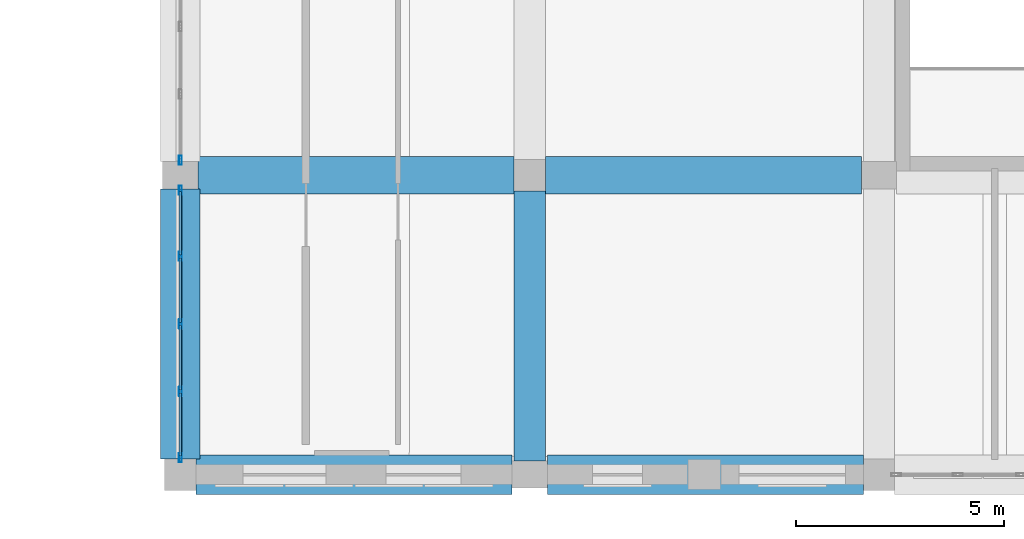
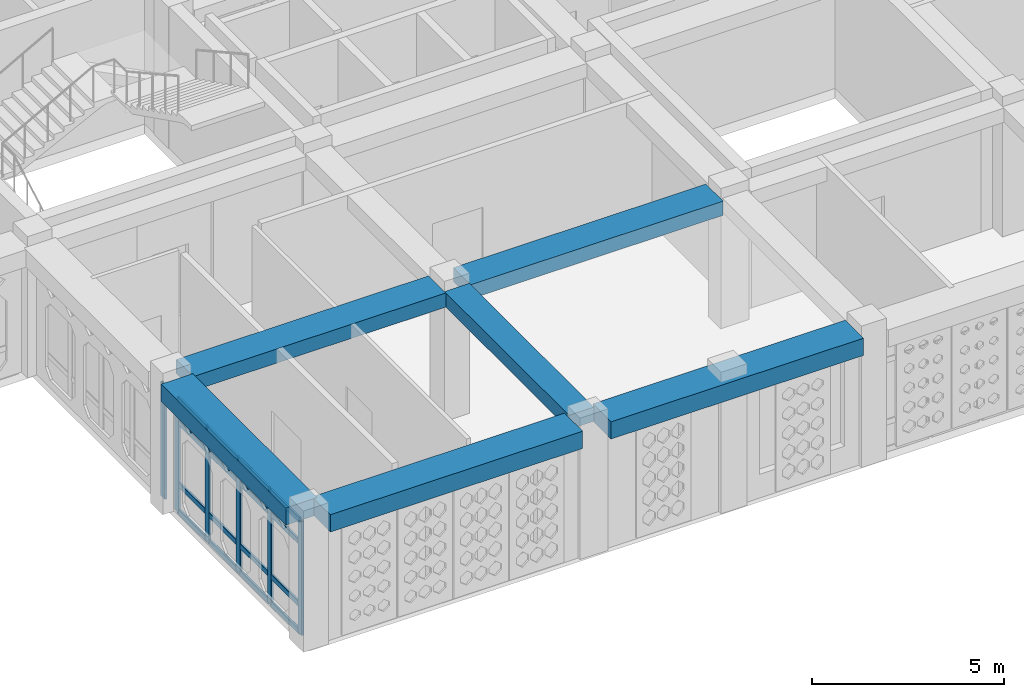
# One storey, part 4 of 111: 22 members, 6 beams, 2 elements without a shape of their own.
"""IFC4 building model written with IfcOpenShell, lengths in metres."""

from ifc_helpers import new_model, si_unit, derived_unit, direction, frame, origin, origin_2d, place, context, subcontext, project, spatial, rectangle, hollow_rectangle, extrude, material, material_profile, profile_set, type_object, element, aggregate, save


model = new_model("IFC4")

# Units and contexts
model_context = context("Model", 3, precision=1e-05, world=origin(), true_north=direction((0.0, 1.0)))
body_context = subcontext(model_context, "Body", "Model", "MODEL_VIEW")
ifc_project = project(units=[si_unit("LENGTHUNIT", "METRE"), si_unit("AREAUNIT", "SQUARE_METRE"), si_unit("VOLUMEUNIT", "CUBIC_METRE"), si_unit("PLANEANGLEUNIT", "RADIAN"), si_unit("MASSUNIT", "GRAM", prefix="KILO"), derived_unit("THERMALTRANSMITTANCEUNIT", [(si_unit("POWERUNIT", "WATT"), 1), (si_unit("LENGTHUNIT", "METRE"), -2), (si_unit("THERMODYNAMICTEMPERATUREUNIT", "KELVIN"), -1)])], contexts=[model_context])

# Site, building, storey
site_placement = place(None, origin())
site = spatial("IfcSite", under=ifc_project, at=site_placement, CompositionType="ELEMENT")
building_placement = place(site_placement, origin())
building = spatial("IfcBuilding", under=site, at=building_placement, Name="Veybourne Emporium", CompositionType="ELEMENT")
storey_placement = place(building_placement, frame((0.0, 0.0, 9.89990234375)))
storey = spatial("IfcBuildingStorey", under=building, at=storey_placement, Name="L02", CompositionType="ELEMENT", Elevation=9.89990234375)

# Curtain wall, member
ifc_material_1 = material(Name="Patinated Architectural Bronze", Category="bronze")
curtain_wall_type_1 = type_object("IfcCurtainWallType", Name="CWSystem_CWS-09", PredefinedType="NOTDEFINED", material=ifc_material_1)
curtain_wall_1_placement = place(storey_placement, origin())
curtain_wall_1 = element("IfcCurtainWall", 1, at=curtain_wall_1_placement, inside=storey, type_object=curtain_wall_type_1, Name="L02 bronze glazed curtain wall CWS-09 (016)", PredefinedType="NOTDEFINED")
ifc_material_profile_1 = material_profile(ifc_material_1, hollow_rectangle(XDim=0.072021484375, YDim=0.22509765625, WallThickness=0.0048828125, InnerFilletRadius=0.007568359375, OuterFilletRadius=0.012451171875, at=origin_2d()), Name="CWM 72x225x5")
ifc_profile_set_1 = profile_set([ifc_material_profile_1], Name="Patinated Architectural Bronze")
member_type_1 = type_object("IfcMemberType", Name="CWMullion_CW-M1", PredefinedType="MULLION", material=ifc_profile_set_1)
member_1_placement = place(storey_placement, frame((16.800048828125, 7.56103515625, 0.0), z_axis=(0.0, 0.0, 1.0), x_axis=(-1.0, 0.0, 0.0)))
member_1 = element("IfcMember", 2, at=member_1_placement, type_object=member_type_1, Name="CWS-09 mullion 1", PredefinedType="MULLION", context=body_context, shape_type="SweptSolid", body=[
    extrude(hollow_rectangle(XDim=0.072021484375, YDim=0.22509765625, WallThickness=0.0048828125, InnerFilletRadius=0.007568359375, OuterFilletRadius=0.012451171875, at=origin_2d()), origin(), (0.0, 0.0, 1.0), 3.630126953125),
])
aggregate(curtain_wall_1, [member_1])

# Curtain wall, members
curtain_wall_type_2 = type_object("IfcCurtainWallType", Name="CWSystem_CWS-08", PredefinedType="NOTDEFINED", material=ifc_material_1)
curtain_wall_2_placement = place(storey_placement, origin())
curtain_wall_2 = element("IfcCurtainWall", 3, at=curtain_wall_2_placement, inside=storey, type_object=curtain_wall_type_2, Name="L02 bronze glazed curtain wall CWS-08 (015)", PredefinedType="NOTDEFINED")
ifc_material_profile_2 = material_profile(ifc_material_1, hollow_rectangle(XDim=0.070068359375, YDim=0.219970703125, WallThickness=0.0048828125, InnerFilletRadius=0.007568359375, OuterFilletRadius=0.012451171875, at=origin_2d()), Name="CWM 70x220x5")
ifc_profile_set_2 = profile_set([ifc_material_profile_2], Name="Patinated Architectural Bronze")
member_type_2 = type_object("IfcMemberType", Name="CWMullion_CW-M4", PredefinedType="MULLION", material=ifc_profile_set_2)
member_2_placement = place(storey_placement, frame((16.800048828125, 0.409912109375, 0.0), z_axis=(0.0, 0.0, 1.0), x_axis=(-1.0, 0.0, 0.0)))
member_2 = element("IfcMember", 4, at=member_2_placement, type_object=member_type_2, Name="CWS-08 mullion 1", PredefinedType="MULLION", context=body_context, shape_type="SweptSolid", body=[
    extrude(hollow_rectangle(XDim=0.070068359375, YDim=0.219970703125, WallThickness=0.0048828125, InnerFilletRadius=0.007568359375, OuterFilletRadius=0.012451171875, at=origin_2d()), origin(), (0.0, 0.0, 1.0), 3.630126953125),
])
member_3_placement = place(storey_placement, frame((16.800048828125, 2.0, 0.0), z_axis=(0.0, 0.0, 1.0), x_axis=(-1.0, 0.0, 0.0)))
member_3 = element("IfcMember", 5, at=member_3_placement, type_object=member_type_2, Name="CWS-08 mullion 2", PredefinedType="MULLION", context=body_context, shape_type="SweptSolid", body=[
    extrude(hollow_rectangle(XDim=0.070068359375, YDim=0.219970703125, WallThickness=0.0048828125, InnerFilletRadius=0.007568359375, OuterFilletRadius=0.012451171875, at=origin_2d()), origin(), (0.0, 0.0, 1.0), 3.630126953125),
])
member_4_placement = place(storey_placement, frame((16.800048828125, 3.625, 0.0), z_axis=(0.0, 0.0, 1.0), x_axis=(-1.0, 0.0, 0.0)))
member_4 = element("IfcMember", 6, at=member_4_placement, type_object=member_type_2, Name="CWS-08 mullion 3", PredefinedType="MULLION", context=body_context, shape_type="SweptSolid", body=[
    extrude(hollow_rectangle(XDim=0.070068359375, YDim=0.219970703125, WallThickness=0.0048828125, InnerFilletRadius=0.007568359375, OuterFilletRadius=0.012451171875, at=origin_2d()), origin(), (0.0, 0.0, 1.0), 3.630126953125),
])
member_5_placement = place(storey_placement, frame((16.800048828125, 5.25, 0.0), z_axis=(0.0, 0.0, 1.0), x_axis=(-1.0, 0.0, 0.0)))
member_5 = element("IfcMember", 7, at=member_5_placement, type_object=member_type_2, Name="CWS-08 mullion 4", PredefinedType="MULLION", context=body_context, shape_type="SweptSolid", body=[
    extrude(hollow_rectangle(XDim=0.070068359375, YDim=0.219970703125, WallThickness=0.0048828125, InnerFilletRadius=0.007568359375, OuterFilletRadius=0.012451171875, at=origin_2d()), origin(), (0.0, 0.0, 1.0), 3.630126953125),
])
member_6_placement = place(storey_placement, frame((16.800048828125, 6.840087890625, 0.0), z_axis=(0.0, 0.0, 1.0), x_axis=(-1.0, 0.0, 0.0)))
member_6 = element("IfcMember", 8, at=member_6_placement, type_object=member_type_2, Name="CWS-08 mullion 5", PredefinedType="MULLION", context=body_context, shape_type="SweptSolid", body=[
    extrude(hollow_rectangle(XDim=0.070068359375, YDim=0.219970703125, WallThickness=0.0048828125, InnerFilletRadius=0.007568359375, OuterFilletRadius=0.012451171875, at=origin_2d()), origin(), (0.0, 0.0, 1.0), 3.630126953125),
])
ifc_material_profile_3 = material_profile(ifc_material_1, hollow_rectangle(XDim=0.070068359375, YDim=0.169921875, WallThickness=0.0048828125, InnerFilletRadius=0.007568359375, OuterFilletRadius=0.012451171875, at=origin_2d()), Name="CWT 70x170x5")
ifc_profile_set_3 = profile_set([ifc_material_profile_3], Name="Patinated Architectural Bronze")
member_type_3 = type_object("IfcMemberType", Name="CWTransom_CW-T4", PredefinedType="NOTDEFINED", material=ifc_profile_set_3)
member_7_placement = place(storey_placement, frame((16.800048828125, 0.445068359375, 0.03515625), z_axis=(0.0, 1.0, 0.0), x_axis=(-1.0, 0.0, 0.0)))
member_7 = element("IfcMember", 9, at=member_7_placement, type_object=member_type_3, Name="CWS-08 transom 1.1", ObjectType="TRANSOM", PredefinedType="USERDEFINED", context=body_context, shape_type="SweptSolid", body=[
    extrude(hollow_rectangle(XDim=0.070068359375, YDim=0.169921875, WallThickness=0.0048828125, InnerFilletRadius=0.007568359375, OuterFilletRadius=0.012451171875, at=origin_2d()), origin(), (0.0, 0.0, 1.0), 1.52001953125),
])
member_8_placement = place(storey_placement, frame((16.800048828125, 0.445068359375, 0.900146484375), z_axis=(0.0, 1.0, 0.0), x_axis=(-1.0, 0.0, 0.0)))
member_8 = element("IfcMember", 10, at=member_8_placement, type_object=member_type_3, Name="CWS-08 transom 1.2", ObjectType="TRANSOM", PredefinedType="USERDEFINED", context=body_context, shape_type="SweptSolid", body=[
    extrude(hollow_rectangle(XDim=0.070068359375, YDim=0.169921875, WallThickness=0.0048828125, InnerFilletRadius=0.007568359375, OuterFilletRadius=0.012451171875, at=origin_2d()), origin(), (0.0, 0.0, 1.0), 1.52001953125),
])
member_9_placement = place(storey_placement, frame((16.800048828125, 0.445068359375, 2.880126953125), z_axis=(0.0, 1.0, 0.0), x_axis=(-1.0, 0.0, 0.0)))
member_9 = element("IfcMember", 11, at=member_9_placement, type_object=member_type_3, Name="CWS-08 transom 1.3", ObjectType="TRANSOM", PredefinedType="USERDEFINED", context=body_context, shape_type="SweptSolid", body=[
    extrude(hollow_rectangle(XDim=0.070068359375, YDim=0.169921875, WallThickness=0.0048828125, InnerFilletRadius=0.007568359375, OuterFilletRadius=0.012451171875, at=origin_2d()), origin(), (0.0, 0.0, 1.0), 1.52001953125),
])
member_10_placement = place(storey_placement, frame((16.800048828125, 0.445068359375, 3.59521484375), z_axis=(0.0, 1.0, 0.0), x_axis=(-1.0, 0.0, 0.0)))
member_10 = element("IfcMember", 12, at=member_10_placement, type_object=member_type_3, Name="CWS-08 transom 1.4", ObjectType="TRANSOM", PredefinedType="USERDEFINED", context=body_context, shape_type="SweptSolid", body=[
    extrude(hollow_rectangle(XDim=0.070068359375, YDim=0.169921875, WallThickness=0.0048828125, InnerFilletRadius=0.007568359375, OuterFilletRadius=0.012451171875, at=origin_2d()), origin(), (0.0, 0.0, 1.0), 1.52001953125),
])
member_11_placement = place(storey_placement, frame((16.800048828125, 2.034912109375, 0.03515625), z_axis=(0.0, 1.0, 0.0), x_axis=(-1.0, 0.0, 0.0)))
member_11 = element("IfcMember", 13, at=member_11_placement, type_object=member_type_3, Name="CWS-08 transom 2.1", ObjectType="TRANSOM", PredefinedType="USERDEFINED", context=body_context, shape_type="SweptSolid", body=[
    extrude(hollow_rectangle(XDim=0.070068359375, YDim=0.169921875, WallThickness=0.0048828125, InnerFilletRadius=0.007568359375, OuterFilletRadius=0.012451171875, at=origin_2d()), origin(), (0.0, 0.0, 1.0), 1.55517578125),
])
member_12_placement = place(storey_placement, frame((16.800048828125, 2.034912109375, 0.900146484375), z_axis=(0.0, 1.0, 0.0), x_axis=(-1.0, 0.0, 0.0)))
member_12 = element("IfcMember", 14, at=member_12_placement, type_object=member_type_3, Name="CWS-08 transom 2.2", ObjectType="TRANSOM", PredefinedType="USERDEFINED", context=body_context, shape_type="SweptSolid", body=[
    extrude(hollow_rectangle(XDim=0.070068359375, YDim=0.169921875, WallThickness=0.0048828125, InnerFilletRadius=0.007568359375, OuterFilletRadius=0.012451171875, at=origin_2d()), origin(), (0.0, 0.0, 1.0), 1.55517578125),
])
member_13_placement = place(storey_placement, frame((16.800048828125, 2.034912109375, 2.880126953125), z_axis=(0.0, 1.0, 0.0), x_axis=(-1.0, 0.0, 0.0)))
member_13 = element("IfcMember", 15, at=member_13_placement, type_object=member_type_3, Name="CWS-08 transom 2.3", ObjectType="TRANSOM", PredefinedType="USERDEFINED", context=body_context, shape_type="SweptSolid", body=[
    extrude(hollow_rectangle(XDim=0.070068359375, YDim=0.169921875, WallThickness=0.0048828125, InnerFilletRadius=0.007568359375, OuterFilletRadius=0.012451171875, at=origin_2d()), origin(), (0.0, 0.0, 1.0), 1.55517578125),
])
member_14_placement = place(storey_placement, frame((16.800048828125, 2.034912109375, 3.59521484375), z_axis=(0.0, 1.0, 0.0), x_axis=(-1.0, 0.0, 0.0)))
member_14 = element("IfcMember", 16, at=member_14_placement, type_object=member_type_3, Name="CWS-08 transom 2.4", ObjectType="TRANSOM", PredefinedType="USERDEFINED", context=body_context, shape_type="SweptSolid", body=[
    extrude(hollow_rectangle(XDim=0.070068359375, YDim=0.169921875, WallThickness=0.0048828125, InnerFilletRadius=0.007568359375, OuterFilletRadius=0.012451171875, at=origin_2d()), origin(), (0.0, 0.0, 1.0), 1.55517578125),
])
member_15_placement = place(storey_placement, frame((16.800048828125, 3.659912109375, 0.03515625), z_axis=(0.0, 1.0, 0.0), x_axis=(-1.0, 0.0, 0.0)))
member_15 = element("IfcMember", 17, at=member_15_placement, type_object=member_type_3, Name="CWS-08 transom 3.1", ObjectType="TRANSOM", PredefinedType="USERDEFINED", context=body_context, shape_type="SweptSolid", body=[
    extrude(hollow_rectangle(XDim=0.070068359375, YDim=0.169921875, WallThickness=0.0048828125, InnerFilletRadius=0.007568359375, OuterFilletRadius=0.012451171875, at=origin_2d()), origin(), (0.0, 0.0, 1.0), 1.55517578125),
])
member_16_placement = place(storey_placement, frame((16.800048828125, 3.659912109375, 0.900146484375), z_axis=(0.0, 1.0, 0.0), x_axis=(-1.0, 0.0, 0.0)))
member_16 = element("IfcMember", 18, at=member_16_placement, type_object=member_type_3, Name="CWS-08 transom 3.2", ObjectType="TRANSOM", PredefinedType="USERDEFINED", context=body_context, shape_type="SweptSolid", body=[
    extrude(hollow_rectangle(XDim=0.070068359375, YDim=0.169921875, WallThickness=0.0048828125, InnerFilletRadius=0.007568359375, OuterFilletRadius=0.012451171875, at=origin_2d()), origin(), (0.0, 0.0, 1.0), 1.55517578125),
])
member_17_placement = place(storey_placement, frame((16.800048828125, 3.659912109375, 2.880126953125), z_axis=(0.0, 1.0, 0.0), x_axis=(-1.0, 0.0, 0.0)))
member_17 = element("IfcMember", 19, at=member_17_placement, type_object=member_type_3, Name="CWS-08 transom 3.3", ObjectType="TRANSOM", PredefinedType="USERDEFINED", context=body_context, shape_type="SweptSolid", body=[
    extrude(hollow_rectangle(XDim=0.070068359375, YDim=0.169921875, WallThickness=0.0048828125, InnerFilletRadius=0.007568359375, OuterFilletRadius=0.012451171875, at=origin_2d()), origin(), (0.0, 0.0, 1.0), 1.55517578125),
])
member_18_placement = place(storey_placement, frame((16.800048828125, 3.659912109375, 3.59521484375), z_axis=(0.0, 1.0, 0.0), x_axis=(-1.0, 0.0, 0.0)))
member_18 = element("IfcMember", 20, at=member_18_placement, type_object=member_type_3, Name="CWS-08 transom 3.4", ObjectType="TRANSOM", PredefinedType="USERDEFINED", context=body_context, shape_type="SweptSolid", body=[
    extrude(hollow_rectangle(XDim=0.070068359375, YDim=0.169921875, WallThickness=0.0048828125, InnerFilletRadius=0.007568359375, OuterFilletRadius=0.012451171875, at=origin_2d()), origin(), (0.0, 0.0, 1.0), 1.55517578125),
])
member_19_placement = place(storey_placement, frame((16.800048828125, 5.284912109375, 0.03515625), z_axis=(0.0, 1.0, 0.0), x_axis=(-1.0, 0.0, 0.0)))
member_19 = element("IfcMember", 21, at=member_19_placement, type_object=member_type_3, Name="CWS-08 transom 4.1", ObjectType="TRANSOM", PredefinedType="USERDEFINED", context=body_context, shape_type="SweptSolid", body=[
    extrude(hollow_rectangle(XDim=0.070068359375, YDim=0.169921875, WallThickness=0.0048828125, InnerFilletRadius=0.007568359375, OuterFilletRadius=0.012451171875, at=origin_2d()), origin(), (0.0, 0.0, 1.0), 1.52001953125),
])
member_20_placement = place(storey_placement, frame((16.800048828125, 5.284912109375, 0.900146484375), z_axis=(0.0, 1.0, 0.0), x_axis=(-1.0, 0.0, 0.0)))
member_20 = element("IfcMember", 22, at=member_20_placement, type_object=member_type_3, Name="CWS-08 transom 4.2", ObjectType="TRANSOM", PredefinedType="USERDEFINED", context=body_context, shape_type="SweptSolid", body=[
    extrude(hollow_rectangle(XDim=0.070068359375, YDim=0.169921875, WallThickness=0.0048828125, InnerFilletRadius=0.007568359375, OuterFilletRadius=0.012451171875, at=origin_2d()), origin(), (0.0, 0.0, 1.0), 1.52001953125),
])
member_21_placement = place(storey_placement, frame((16.800048828125, 5.284912109375, 2.880126953125), z_axis=(0.0, 1.0, 0.0), x_axis=(-1.0, 0.0, 0.0)))
member_21 = element("IfcMember", 23, at=member_21_placement, type_object=member_type_3, Name="CWS-08 transom 4.3", ObjectType="TRANSOM", PredefinedType="USERDEFINED", context=body_context, shape_type="SweptSolid", body=[
    extrude(hollow_rectangle(XDim=0.070068359375, YDim=0.169921875, WallThickness=0.0048828125, InnerFilletRadius=0.007568359375, OuterFilletRadius=0.012451171875, at=origin_2d()), origin(), (0.0, 0.0, 1.0), 1.52001953125),
])
member_22_placement = place(storey_placement, frame((16.800048828125, 5.284912109375, 3.59521484375), z_axis=(0.0, 1.0, 0.0), x_axis=(-1.0, 0.0, 0.0)))
member_22 = element("IfcMember", 24, at=member_22_placement, type_object=member_type_3, Name="CWS-08 transom 4.4", ObjectType="TRANSOM", PredefinedType="USERDEFINED", context=body_context, shape_type="SweptSolid", body=[
    extrude(hollow_rectangle(XDim=0.070068359375, YDim=0.169921875, WallThickness=0.0048828125, InnerFilletRadius=0.007568359375, OuterFilletRadius=0.012451171875, at=origin_2d()), origin(), (0.0, 0.0, 1.0), 1.52001953125),
])
aggregate(curtain_wall_2, [member_2, member_3, member_4, member_5, member_6, member_7, member_8, member_9, member_10, member_11, member_12, member_13, member_14, member_15, member_16, member_17, member_18, member_19, member_20, member_21, member_22])

# Beams
ifc_material_2 = material(Name="Concrete C32/40", Category="concrete")
ifc_material_profile_4 = material_profile(ifc_material_2, rectangle(XDim=0.89990234375, YDim=0.449951171875, at=origin_2d()), Name="RC 900x450")
ifc_profile_set_4 = profile_set([ifc_material_profile_4], Name="Concrete C32/40")
beam_type_1 = type_object("IfcBeamType", Name="RCBeam_BB-03", PredefinedType="BEAM", material=ifc_profile_set_4)
beam_1_placement = place(storey_placement, frame((17.22509765625, 7.199951171875, 3.955078125), z_axis=(1.0, 0.0, 0.0), x_axis=(0.0, 1.0, 0.0)))
element("IfcBeam", 25, at=beam_1_placement, inside=storey, type_object=beam_type_1, Name="L02 X-grid beam BB-03 (2,1)", PredefinedType="BEAM", context=body_context, shape_type="SweptSolid", body=[
    extrude(rectangle(XDim=0.89990234375, YDim=0.449951171875, at=origin_2d()), origin(), (0.0, 0.0, 1.0), 7.599853515625),
])
beam_2_placement = place(storey_placement, frame((25.574951171875, 7.199951171875, 3.955078125), z_axis=(1.0, 0.0, 0.0), x_axis=(0.0, 1.0, 0.0)))
element("IfcBeam", 26, at=beam_2_placement, inside=storey, type_object=beam_type_1, Name="L02 X-grid beam BB-03 (3,1)", PredefinedType="BEAM", context=body_context, shape_type="SweptSolid", body=[
    extrude(rectangle(XDim=0.89990234375, YDim=0.449951171875, at=origin_2d()), origin(), (0.0, 0.0, 1.0), 7.60009765625),
])
ifc_material_profile_5 = material_profile(ifc_material_2, rectangle(XDim=0.75, YDim=0.449951171875, at=origin_2d()), Name="RC 750x450")
ifc_profile_set_5 = profile_set([ifc_material_profile_5], Name="Concrete C32/40")
beam_type_2 = type_object("IfcBeamType", Name="RCBeam_BB-04", PredefinedType="BEAM", material=ifc_profile_set_5)
beam_3_placement = place(storey_placement, frame((25.199951171875, 0.324951171875, 3.955078125), z_axis=(0.0, 1.0, 0.0), x_axis=(-1.0, 0.0, 0.0)))
element("IfcBeam", 27, at=beam_3_placement, inside=storey, type_object=beam_type_2, Name="L02 Y-grid beam BB-04 (3,0)", PredefinedType="BEAM", context=body_context, shape_type="SweptSolid", body=[
    extrude(rectangle(XDim=0.75, YDim=0.449951171875, at=origin_2d()), origin(), (0.0, 0.0, 1.0), 6.5),
])
ifc_material_profile_6 = material_profile(ifc_material_2, rectangle(XDim=0.949951171875, YDim=0.550048828125, at=origin_2d()), Name="RC 950x550")
ifc_profile_set_6 = profile_set([ifc_material_profile_6], Name="Concrete C32/40")
beam_type_3 = type_object("IfcBeamType", Name="RCBeam_EB-01", PredefinedType="SPANDREL", material=ifc_profile_set_6)
beam_4_placement = place(storey_placement, frame((17.175048828125, 0.0, 3.905029296875), z_axis=(1.0, 0.0, 0.0), x_axis=(0.0, 1.0, 0.0)))
element("IfcBeam", 28, at=beam_4_placement, inside=storey, type_object=beam_type_3, Name="L02 X-grid beam EB-01 (2,0)", PredefinedType="SPANDREL", context=body_context, shape_type="SweptSolid", body=[
    extrude(rectangle(XDim=0.949951171875, YDim=0.550048828125, at=origin_2d()), origin(), (0.0, 0.0, 1.0), 7.599853515625),
])
beam_5_placement = place(storey_placement, frame((25.625, 0.0, 3.905029296875), z_axis=(1.0, 0.0, 0.0), x_axis=(0.0, 1.0, 0.0)))
element("IfcBeam", 29, at=beam_5_placement, inside=storey, type_object=beam_type_3, Name="L02 X-grid beam EB-01 (3,0)", PredefinedType="SPANDREL", context=body_context, shape_type="SweptSolid", body=[
    extrude(rectangle(XDim=0.949951171875, YDim=0.550048828125, at=origin_2d()), origin(), (0.0, 0.0, 1.0), 7.60009765625),
])
beam_6_placement = place(storey_placement, frame((16.800048828125, 0.375, 3.905029296875), z_axis=(0.0, 1.0, 0.0), x_axis=(-1.0, 0.0, 0.0)))
element("IfcBeam", 30, at=beam_6_placement, inside=storey, type_object=beam_type_3, Name="L02 Y-grid beam EB-01 (2,0)", PredefinedType="SPANDREL", context=body_context, shape_type="SweptSolid", body=[
    extrude(rectangle(XDim=0.949951171875, YDim=0.550048828125, at=origin_2d()), origin(), (0.0, 0.0, 1.0), 6.5),
])

save(model, "model.ifc")
